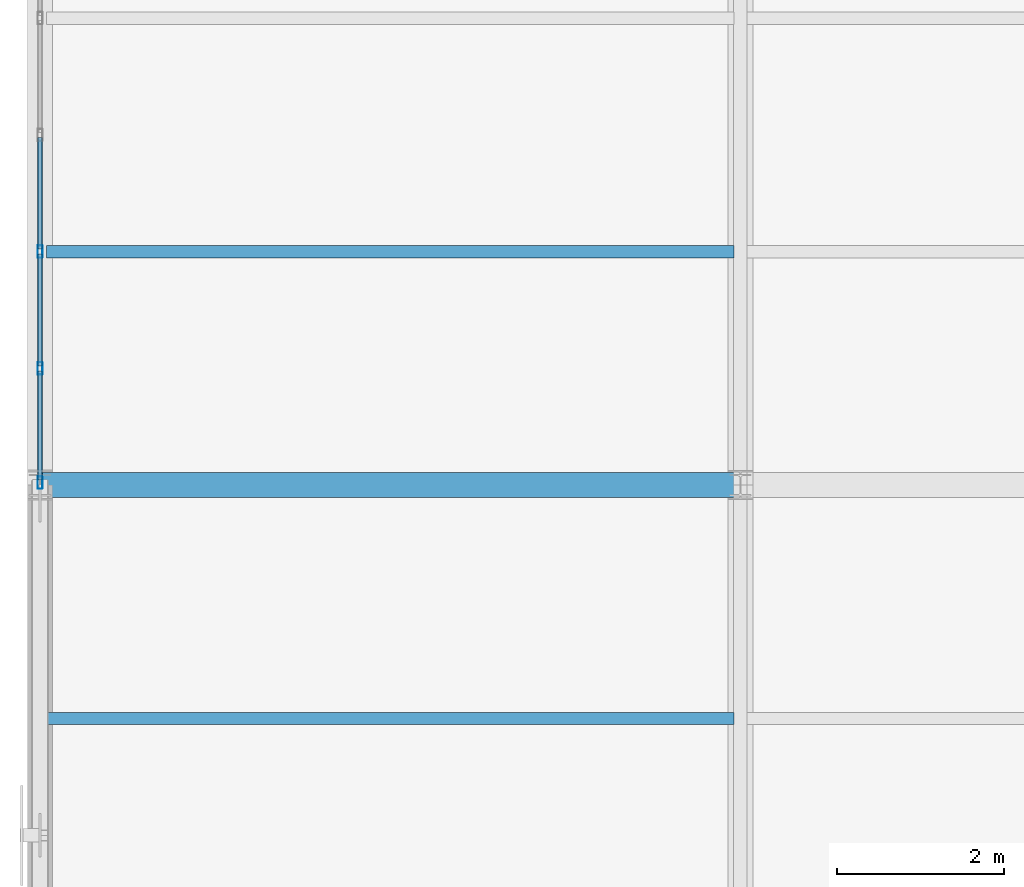
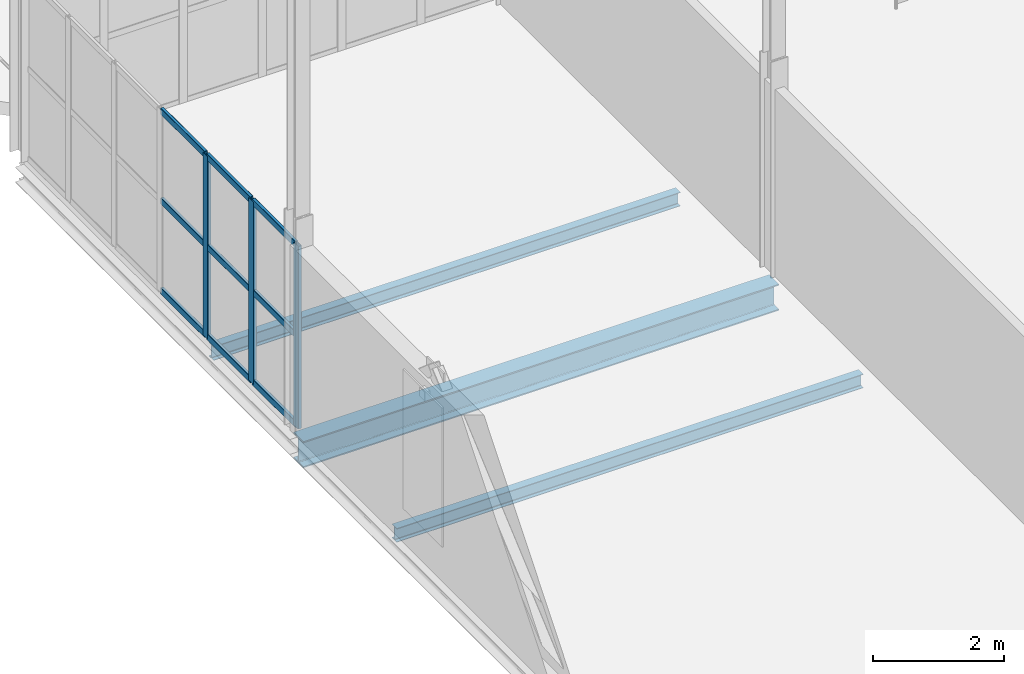
# One storey, part 104 of 184: 12 members, 3 beams, 1 element without a shape of its own.
"""IFC4 building model written with IfcOpenShell, lengths in metres."""

import ifcopenshell
import ifcopenshell.guid

model = None  # the IFC model being written
_history = None  # IfcOwnerHistory: only IFC2X3 demands one
_inside = {}  # id of a spatial element -> (the spatial element, [elements in it])
_under = {}  # id of a project, library or spatial element -> (it, [spatial elements below it])
_declared = {}  # id of a project -> (the project, [libraries it declares])
_typed = {}  # id of a type object -> (the type object, [elements of that type])
_made_of = {}  # id of a material, layer set ... -> (it, [elements and type objects made of it])


def new_model(schema):
    """Start an empty IFC model of exactly this schema.

    Asked for "IFC4X3", IfcOpenShell would pick the latest addendum, in which some entities
    have other attributes; the version numbers below select the first issue.
    IFC2X3 requires an IfcOwnerHistory on every rooted entity: one is made here for all.
    """
    global model, _history
    if schema == "IFC4X3":
        model = ifcopenshell.file(schema_version=(4, 3, 0, 0))
    else:
        model = ifcopenshell.file(schema=schema)
    _inside.clear()
    _under.clear()
    _declared.clear()
    _typed.clear()
    _made_of.clear()
    _history = None
    if model.schema == "IFC2X3":
        org = make("IfcOrganization", Name="unknown")
        user = make(
            "IfcPersonAndOrganization",
            ThePerson=make("IfcPerson", FamilyName="unknown"),
            TheOrganization=org,
        )
        app = make(
            "IfcApplication",
            ApplicationDeveloper=org,
            Version="unknown",
            ApplicationFullName="unknown",
            ApplicationIdentifier="unknown",
        )
        _history = make(
            "IfcOwnerHistory",
            OwningUser=user,
            OwningApplication=app,
            ChangeAction="ADDED",
            CreationDate=0,
        )
    return model


def make(cls, **values):
    """One entity of the class cls with the attributes given. An attribute that is None is left unset."""
    return model.create_entity(
        cls, **{name: value for name, value in values.items() if value is not None}
    )


def rooted(cls, **values):
    """An entity with a GlobalId (a new one), such as an element, a storey or a relation."""
    return make(cls, GlobalId=ifcopenshell.guid.new(), OwnerHistory=_history, **values)


def si_unit(unit_type, name, prefix=None):
    """IfcSIUnit, for example si_unit("LENGTHUNIT", "METRE", prefix="MILLI")."""
    return make("IfcSIUnit", UnitType=unit_type, Prefix=prefix, Name=name)


def assignment(units):
    """IfcUnitAssignment: the units of a project."""
    return None if units is None else make("IfcUnitAssignment", Units=units)


def point(xyz):
    """IfcCartesianPoint."""
    return None if xyz is None else make("IfcCartesianPoint", Coordinates=xyz)


def direction(xyz):
    """IfcDirection."""
    return None if xyz is None else make("IfcDirection", DirectionRatios=xyz)


def frame(location, z_axis=None, x_axis=None):
    """IfcAxis2Placement3D, a coordinate frame: its origin and axes. An axis left out is left unset."""
    return make(
        "IfcAxis2Placement3D",
        Location=point(location),
        Axis=direction(z_axis),
        RefDirection=direction(x_axis),
    )


def frame_2d(location, x_axis=None):
    """IfcAxis2Placement2D, a coordinate frame in the plane: its origin and x axis."""
    return make(
        "IfcAxis2Placement2D", Location=point(location), RefDirection=direction(x_axis)
    )


def origin():
    """The frame at (0, 0, 0) with its axes left unset."""
    return frame((0.0, 0.0, 0.0))


def origin_2d():
    """The frame at (0, 0) in the plane with its x axis left unset."""
    return frame_2d((0.0, 0.0))


def place(relative_to, where):
    """IfcLocalPlacement: puts the frame where relative to a parent placement (None: the world)."""
    return make(
        "IfcLocalPlacement", PlacementRelTo=relative_to, RelativePlacement=where
    )


def context(
    kind, dimensions, precision=None, world=None, true_north=None, identifier=None
):
    """IfcGeometricRepresentationContext, for example the 3D "Model" context."""
    return make(
        "IfcGeometricRepresentationContext",
        ContextIdentifier=identifier,
        ContextType=kind,
        CoordinateSpaceDimension=dimensions,
        Precision=precision,
        WorldCoordinateSystem=world,
        TrueNorth=true_north,
    )


def subcontext(parent, identifier, kind, view, scale=None):
    """IfcGeometricRepresentationSubContext, for example "Body" below "Model"."""
    return make(
        "IfcGeometricRepresentationSubContext",
        ContextIdentifier=identifier,
        ContextType=kind,
        ParentContext=parent,
        TargetScale=scale,
        TargetView=view,
    )


def project(units=None, contexts=None):
    """IfcProject with its units and contexts."""
    return rooted(
        "IfcProject",
        Name="project",
        RepresentationContexts=contexts,
        UnitsInContext=assignment(units),
    )


def spatial(cls, under=None, at=None, **own):
    """A site, building, storey or space (cls), placed at a placement, below another one or the project."""
    s = rooted(cls, ObjectPlacement=at, **own)
    if under is not None:
        _under.setdefault(under.id(), (under, []))[1].append(s)
    return s


def profile(cls, at=None, kind="AREA", **sizes):
    """A parametric profile (cls). Its sizes go by their IFC names, for example OverallWidth=200.0."""
    return make(cls, ProfileType=kind, Position=at, **sizes)


def hollow_rectangle(**sizes):
    """IfcRectangleHollowProfileDef."""
    return profile("IfcRectangleHollowProfileDef", **sizes)


def i_section(**sizes):
    """IfcIShapeProfileDef."""
    return profile("IfcIShapeProfileDef", **sizes)


def extrude(swept, where, along, depth):
    """IfcExtrudedAreaSolid: the profile swept, set in the frame where, extruded along a direction by depth."""
    return make(
        "IfcExtrudedAreaSolid",
        SweptArea=swept,
        Position=where,
        ExtrudedDirection=direction(along),
        Depth=depth,
    )


def shape(context_of_items, identifier, shape_type, items):
    """IfcShapeRepresentation: the items that make up one representation, for example the "Body"."""
    return make(
        "IfcShapeRepresentation",
        ContextOfItems=context_of_items,
        RepresentationIdentifier=identifier,
        RepresentationType=shape_type,
        Items=items,
    )


def material(Name=None, Category=None):
    """IfcMaterial."""
    return make("IfcMaterial", Name=Name, Category=Category)


def layer(
    of_material, thickness, ventilated=None, Name=None, Category=None, Priority=None
):
    """IfcMaterialLayer: one layer of a wall or slab, of a material (None: an air gap)."""
    return make(
        "IfcMaterialLayer",
        Material=of_material,
        LayerThickness=thickness,
        IsVentilated=ventilated,
        Name=Name,
        Category=Category,
        Priority=Priority,
    )


def layer_set(layers, Name=None):
    """IfcMaterialLayerSet."""
    return make("IfcMaterialLayerSet", MaterialLayers=layers, LayerSetName=Name)


def material_profile(
    of_material, cross_section, Name=None, Category=None, Priority=None
):
    """IfcMaterialProfile: a cross section and its material."""
    return make(
        "IfcMaterialProfile",
        Name=Name,
        Material=of_material,
        Profile=cross_section,
        Priority=Priority,
        Category=Category,
    )


def profile_set(profiles, Name=None, composite=None):
    """IfcMaterialProfileSet."""
    return make(
        "IfcMaterialProfileSet",
        Name=Name,
        MaterialProfiles=profiles,
        CompositeProfile=composite,
    )


def made_of(thing, what):
    """Note that an element or type object is made of a material, layer set ...; save() writes the relation."""
    if what is not None:
        _made_of.setdefault(what.id(), (what, []))[1].append(thing)
    return thing


def type_object(cls, material=None, **own):
    """A type object (cls), such as IfcWallType, which elements share."""
    return made_of(rooted(cls, **own), material)


def element(
    cls,
    number,
    at=None,
    inside=None,
    cuts=None,
    type_object=None,
    material=None,
    context=None,
    identifier="Body",
    shape_type=None,
    held_by="IfcProductDefinitionShape",
    body=None,
    shapes=None,
    **own,
):
    """One element of the class cls, such as IfcWall. Its Tag is "e" and its number.

    at: its placement. inside: the storey or other place that contains it. cuts: it is an
    opening in that element (IfcRelVoidsElement). A single representation is given by context,
    identifier, shape_type and body (its items); several are given by shapes. held_by: the class
    of the entity that holds the representations. save() writes the other relations.
    """
    e = rooted(cls, Tag="e%d" % number, ObjectPlacement=at, **own)
    if body is not None:
        shapes = [shape(context, identifier, shape_type, body)]
    if shapes is not None:
        e.Representation = make(held_by, Representations=shapes)
    if inside is not None:
        _inside.setdefault(inside.id(), (inside, []))[1].append(e)
    if cuts is not None:
        rooted(
            "IfcRelVoidsElement", RelatingBuildingElement=cuts, RelatedOpeningElement=e
        )
    if type_object is not None:
        _typed.setdefault(type_object.id(), (type_object, []))[1].append(e)
    return made_of(e, material)


def aggregate(whole, parts):
    """IfcRelAggregates: a whole, such as a stair, and the parts it consists of."""
    return rooted("IfcRelAggregates", RelatingObject=whole, RelatedObjects=parts)


def save(model, path):
    """Write the relations noted so far, then the file.

    IfcRelAggregates (storeys below a building ...), IfcRelContainedInSpatialStructure (elements
    in a storey), IfcRelDefinesByType, IfcRelAssociatesMaterial and IfcRelDeclares: one each for
    every whole, place, type object, material and project.
    """
    for whole, parts in _under.values():
        aggregate(whole, parts)
    for where, things in _inside.values():
        rooted(
            "IfcRelContainedInSpatialStructure",
            RelatedElements=things,
            RelatingStructure=where,
        )
    for kind, things in _typed.values():
        rooted("IfcRelDefinesByType", RelatedObjects=things, RelatingType=kind)
    for what, things in _made_of.values():
        rooted("IfcRelAssociatesMaterial", RelatedObjects=things, RelatingMaterial=what)
    for by, libraries in _declared.values():
        rooted("IfcRelDeclares", RelatingContext=by, RelatedDefinitions=libraries)
    model.write(path)


model = new_model("IFC4")

# Units and contexts
model_context = context("Model", 3, precision=1e-05, world=origin(), true_north=direction((0.0, 1.0)))
body_context = subcontext(model_context, "Body", "Model", "MODEL_VIEW")
ifc_project = project(units=[si_unit("LENGTHUNIT", "METRE"), si_unit("AREAUNIT", "SQUARE_METRE"), si_unit("VOLUMEUNIT", "CUBIC_METRE"), si_unit("PLANEANGLEUNIT", "RADIAN"), si_unit("MASSUNIT", "GRAM", prefix="KILO")], contexts=[model_context])

# Site, building, storey
site_placement = place(None, origin())
site = spatial("IfcSite", under=ifc_project, at=site_placement, CompositionType="ELEMENT")
building_placement = place(site_placement, origin())
building = spatial("IfcBuilding", under=site, at=building_placement, Name="Qalvenar Corner Mobility Hub", CompositionType="ELEMENT")
storey_placement = place(building_placement, frame((0.0, 0.0, 9.0)))
storey = spatial("IfcBuildingStorey", under=building, at=storey_placement, Name="L02", CompositionType="ELEMENT", Elevation=9.0)

# Beams
ifc_material_1 = material(Name="Steel S355", Category="steel")
ifc_material_profile_1 = material_profile(ifc_material_1, i_section(OverallWidth=0.300048828125, OverallDepth=0.489990234375, WebThickness=0.011962890625, FlangeThickness=0.02294921875, FilletRadius=0.027099609375, at=origin_2d()), Name="HEA500")
ifc_profile_set_1 = profile_set([ifc_material_profile_1], Name="Steel S355")
beam_type_1 = type_object("IfcBeamType", Name="BM-HEA500", PredefinedType="BEAM", material=ifc_profile_set_1)
beam_placement = place(storey_placement, frame((0.0, 75.60009765625, -0.425048828125), z_axis=(1.0, 0.0, 0.0), x_axis=(0.0, 1.0, 0.0)))
element("IfcBeam", 1, at=beam_placement, inside=storey, type_object=beam_type_1, Name="Primary Steel Girder GX-1831", PredefinedType="BEAM", context=body_context, shape_type="SweptSolid", body=[
    extrude(i_section(OverallWidth=0.300048828125, OverallDepth=0.489990234375, WebThickness=0.011962890625, FlangeThickness=0.02294921875, FilletRadius=0.027099609375, at=origin_2d()), origin(), (0.0, 0.0, 1.0), 8.39990234375),
])
ifc_material_profile_2 = material_profile(ifc_material_1, i_section(OverallWidth=0.14599609375, OverallDepth=0.258056640625, WebThickness=0.006103515625, FlangeThickness=0.009033203125, FilletRadius=0.011962890625, at=origin_2d()), Name="W250x32.7")
ifc_profile_set_2 = profile_set([ifc_material_profile_2], Name="Steel S355")
beam_type_2 = type_object("IfcBeamType", Name="BM-JST250", PredefinedType="JOIST", material=ifc_profile_set_2)
for number, where, z_axis, x_axis, name in (
    (2, (0.077880859375, 72.800048828125, -0.30908203125), (1.0, 0.0, 0.0), (0.0, 1.0, 0.0), "Composite Floor Joist J-1871"),
    (3, (0.077880859375, 78.39990234375, -0.30908203125), (1.0, 0.0, 0.0), (0.0, 1.0, 0.0), "Composite Floor Joist J-1872"),
):
    element("IfcBeam", number, at=place(storey_placement, frame(where, z_axis=z_axis, x_axis=x_axis)), inside=storey, type_object=beam_type_2, Name=name, PredefinedType="JOIST", context=body_context, shape_type="SweptSolid", body=[
        extrude(i_section(OverallWidth=0.14599609375, OverallDepth=0.258056640625, WebThickness=0.006103515625, FlangeThickness=0.009033203125, FilletRadius=0.011962890625, at=origin_2d()), origin(), (0.0, 0.0, 1.0), 8.244140625),
    ])

# Curtain wall, members
ifc_material_2 = material(Name="Anodised Aluminium and Low-E Glazing", Category="aluminium")
ifc_layer = layer(ifc_material_2, 0.14990234375)
ifc_layer_set = layer_set([ifc_layer], Name="Anodised Aluminium and Low-E Glazing")
curtain_wall_type = type_object("IfcCurtainWallType", Name="CW-CYC-84X39", PredefinedType="NOTDEFINED", material=ifc_layer_set)
curtain_wall_placement = place(storey_placement, origin())
curtain_wall = element("IfcCurtainWall", 4, at=curtain_wall_placement, inside=storey, type_object=curtain_wall_type, Name="Glazed Curtain Wall CW-V5-L02-W4", PredefinedType="NOTDEFINED")
ifc_material_3 = material(Name="Anodised Aluminium 6063-T6", Category="aluminium")
ifc_material_profile_3 = material_profile(ifc_material_3, hollow_rectangle(XDim=0.06005859375, YDim=0.14990234375, WallThickness=0.00390625, InnerFilletRadius=0.00390625, OuterFilletRadius=0.008056640625, at=origin_2d()), Name="RHS150x60x4")
ifc_profile_set_3 = profile_set([ifc_material_profile_3], Name="Anodised Aluminium 6063-T6")
member_type_1 = type_object("IfcMemberType", Name="CW-MUL150", PredefinedType="MULLION", material=ifc_profile_set_3)
member_1_placement = place(storey_placement, frame((0.0, 78.39990234375, 0.0), z_axis=(0.0, 0.0, 1.0), x_axis=(1.0, 0.0, 0.0)))
member_1 = element("IfcMember", 5, at=member_1_placement, type_object=member_type_1, Name="CW-08 mullion 5", PredefinedType="MULLION", context=body_context, shape_type="SweptSolid", body=[
    extrude(hollow_rectangle(XDim=0.06005859375, YDim=0.14990234375, WallThickness=0.00390625, InnerFilletRadius=0.00390625, OuterFilletRadius=0.008056640625, at=origin_2d()), origin(), (0.0, 0.0, 1.0), 3.409912109375),
])
member_2_placement = place(storey_placement, frame((0.0, 77.0, 0.0), z_axis=(0.0, 0.0, 1.0), x_axis=(1.0, 0.0, 0.0)))
member_2 = element("IfcMember", 6, at=member_2_placement, type_object=member_type_1, Name="CW-08 mullion 6", PredefinedType="MULLION", context=body_context, shape_type="SweptSolid", body=[
    extrude(hollow_rectangle(XDim=0.06005859375, YDim=0.14990234375, WallThickness=0.00390625, InnerFilletRadius=0.00390625, OuterFilletRadius=0.008056640625, at=origin_2d()), origin(), (0.0, 0.0, 1.0), 3.409912109375),
])
member_3_placement = place(storey_placement, frame((0.0, 75.6298828125, 0.0), z_axis=(0.0, 0.0, 1.0), x_axis=(1.0, 0.0, 0.0)))
member_3 = element("IfcMember", 7, at=member_3_placement, type_object=member_type_1, Name="CW-08 mullion 7", PredefinedType="MULLION", context=body_context, shape_type="SweptSolid", body=[
    extrude(hollow_rectangle(XDim=0.06005859375, YDim=0.14990234375, WallThickness=0.00390625, InnerFilletRadius=0.00390625, OuterFilletRadius=0.008056640625, at=origin_2d()), origin(), (0.0, 0.0, 1.0), 3.409912109375),
])
ifc_material_profile_4 = material_profile(ifc_material_3, hollow_rectangle(XDim=0.054931640625, YDim=0.1201171875, WallThickness=0.00341796875, InnerFilletRadius=0.00341796875, OuterFilletRadius=0.007080078125, at=origin_2d()), Name="RHS120x55x3.5")
ifc_profile_set_4 = profile_set([ifc_material_profile_4], Name="Anodised Aluminium 6063-T6")
member_type_2 = type_object("IfcMemberType", Name="CW-TRN120", PredefinedType="USERDEFINED", material=ifc_profile_set_4)
member_4_placement = place(storey_placement, frame((0.0, 79.77001953125, 0.027587890625), z_axis=(0.0, -1.0, 0.0), x_axis=(1.0, 0.0, 0.0)))
member_4 = element("IfcMember", 8, at=member_4_placement, type_object=member_type_2, Name="CW-08 transom 4.1", ObjectType="TRANSOM", PredefinedType="USERDEFINED", context=body_context, shape_type="SweptSolid", body=[
    extrude(hollow_rectangle(XDim=0.054931640625, YDim=0.1201171875, WallThickness=0.00341796875, InnerFilletRadius=0.00341796875, OuterFilletRadius=0.007080078125, at=origin_2d()), origin(), (0.0, 0.0, 1.0), 1.340087890625),
])
member_5_placement = place(storey_placement, frame((0.0, 79.77001953125, 1.705078125), z_axis=(0.0, -1.0, 0.0), x_axis=(1.0, 0.0, 0.0)))
member_5 = element("IfcMember", 9, at=member_5_placement, type_object=member_type_2, Name="CW-08 transom 4.2", ObjectType="TRANSOM", PredefinedType="USERDEFINED", context=body_context, shape_type="SweptSolid", body=[
    extrude(hollow_rectangle(XDim=0.054931640625, YDim=0.1201171875, WallThickness=0.00341796875, InnerFilletRadius=0.00341796875, OuterFilletRadius=0.007080078125, at=origin_2d()), origin(), (0.0, 0.0, 1.0), 1.340087890625),
])
member_6_placement = place(storey_placement, frame((0.0, 79.77001953125, 3.382568359375), z_axis=(0.0, -1.0, 0.0), x_axis=(1.0, 0.0, 0.0)))
member_6 = element("IfcMember", 10, at=member_6_placement, type_object=member_type_2, Name="CW-08 transom 4.3", ObjectType="TRANSOM", PredefinedType="USERDEFINED", context=body_context, shape_type="SweptSolid", body=[
    extrude(hollow_rectangle(XDim=0.054931640625, YDim=0.1201171875, WallThickness=0.00341796875, InnerFilletRadius=0.00341796875, OuterFilletRadius=0.007080078125, at=origin_2d()), origin(), (0.0, 0.0, 1.0), 1.340087890625),
])
member_7_placement = place(storey_placement, frame((0.0, 78.3701171875, 0.027587890625), z_axis=(0.0, -1.0, 0.0), x_axis=(1.0, 0.0, 0.0)))
member_7 = element("IfcMember", 11, at=member_7_placement, type_object=member_type_2, Name="CW-08 transom 5.1", ObjectType="TRANSOM", PredefinedType="USERDEFINED", context=body_context, shape_type="SweptSolid", body=[
    extrude(hollow_rectangle(XDim=0.054931640625, YDim=0.1201171875, WallThickness=0.00341796875, InnerFilletRadius=0.00341796875, OuterFilletRadius=0.007080078125, at=origin_2d()), origin(), (0.0, 0.0, 1.0), 1.340087890625),
])
member_8_placement = place(storey_placement, frame((0.0, 78.3701171875, 1.705078125), z_axis=(0.0, -1.0, 0.0), x_axis=(1.0, 0.0, 0.0)))
member_8 = element("IfcMember", 12, at=member_8_placement, type_object=member_type_2, Name="CW-08 transom 5.2", ObjectType="TRANSOM", PredefinedType="USERDEFINED", context=body_context, shape_type="SweptSolid", body=[
    extrude(hollow_rectangle(XDim=0.054931640625, YDim=0.1201171875, WallThickness=0.00341796875, InnerFilletRadius=0.00341796875, OuterFilletRadius=0.007080078125, at=origin_2d()), origin(), (0.0, 0.0, 1.0), 1.340087890625),
])
member_9_placement = place(storey_placement, frame((0.0, 78.3701171875, 3.382568359375), z_axis=(0.0, -1.0, 0.0), x_axis=(1.0, 0.0, 0.0)))
member_9 = element("IfcMember", 13, at=member_9_placement, type_object=member_type_2, Name="CW-08 transom 5.3", ObjectType="TRANSOM", PredefinedType="USERDEFINED", context=body_context, shape_type="SweptSolid", body=[
    extrude(hollow_rectangle(XDim=0.054931640625, YDim=0.1201171875, WallThickness=0.00341796875, InnerFilletRadius=0.00341796875, OuterFilletRadius=0.007080078125, at=origin_2d()), origin(), (0.0, 0.0, 1.0), 1.340087890625),
])
member_10_placement = place(storey_placement, frame((0.0, 76.969970703125, 0.027587890625), z_axis=(0.0, -1.0, 0.0), x_axis=(1.0, 0.0, 0.0)))
member_10 = element("IfcMember", 14, at=member_10_placement, type_object=member_type_2, Name="CW-08 transom 6.1", ObjectType="TRANSOM", PredefinedType="USERDEFINED", context=body_context, shape_type="SweptSolid", body=[
    extrude(hollow_rectangle(XDim=0.054931640625, YDim=0.1201171875, WallThickness=0.00341796875, InnerFilletRadius=0.00341796875, OuterFilletRadius=0.007080078125, at=origin_2d()), origin(), (0.0, 0.0, 1.0), 1.31005859375),
])
member_11_placement = place(storey_placement, frame((0.0, 76.969970703125, 1.705078125), z_axis=(0.0, -1.0, 0.0), x_axis=(1.0, 0.0, 0.0)))
member_11 = element("IfcMember", 15, at=member_11_placement, type_object=member_type_2, Name="CW-08 transom 6.2", ObjectType="TRANSOM", PredefinedType="USERDEFINED", context=body_context, shape_type="SweptSolid", body=[
    extrude(hollow_rectangle(XDim=0.054931640625, YDim=0.1201171875, WallThickness=0.00341796875, InnerFilletRadius=0.00341796875, OuterFilletRadius=0.007080078125, at=origin_2d()), origin(), (0.0, 0.0, 1.0), 1.31005859375),
])
member_12_placement = place(storey_placement, frame((0.0, 76.969970703125, 3.382568359375), z_axis=(0.0, -1.0, 0.0), x_axis=(1.0, 0.0, 0.0)))
member_12 = element("IfcMember", 16, at=member_12_placement, type_object=member_type_2, Name="CW-08 transom 6.3", ObjectType="TRANSOM", PredefinedType="USERDEFINED", context=body_context, shape_type="SweptSolid", body=[
    extrude(hollow_rectangle(XDim=0.054931640625, YDim=0.1201171875, WallThickness=0.00341796875, InnerFilletRadius=0.00341796875, OuterFilletRadius=0.007080078125, at=origin_2d()), origin(), (0.0, 0.0, 1.0), 1.31005859375),
])
aggregate(curtain_wall, [member_1, member_2, member_3, member_4, member_5, member_6, member_7, member_8, member_9, member_10, member_11, member_12])

save(model, "model.ifc")
